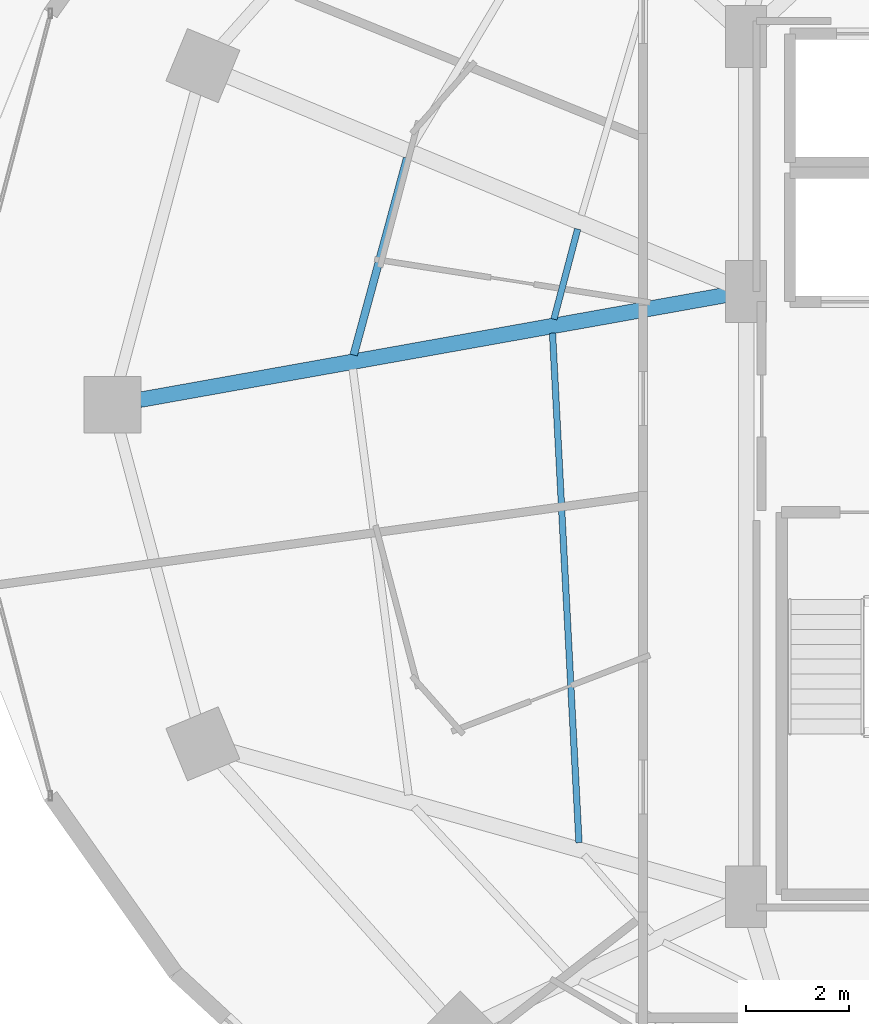
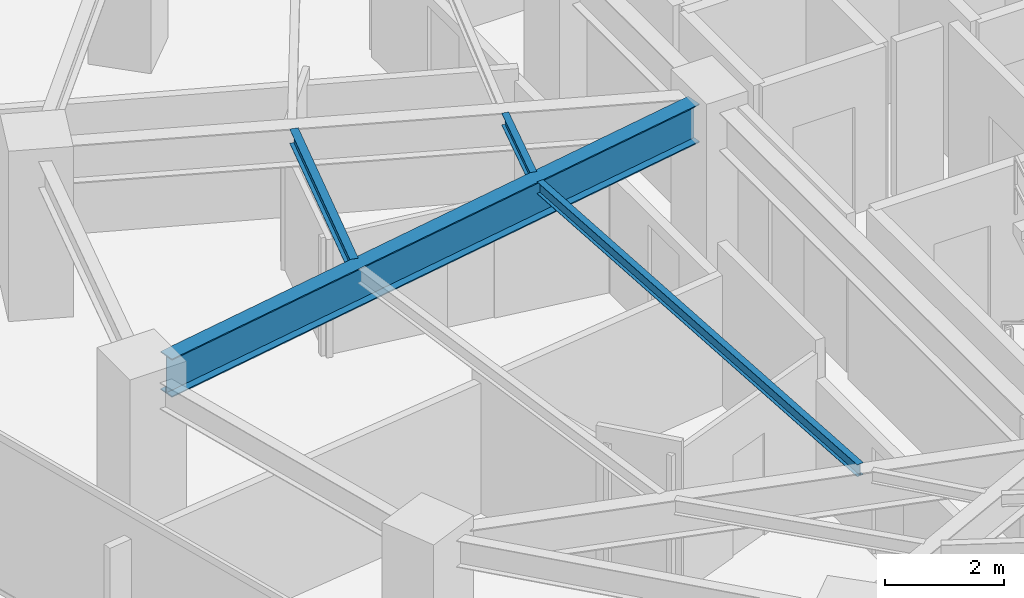
# One storey, part 7 of 30: 4 beams.
"""IFC4 building model written with IfcOpenShell, lengths in metres."""

from ifc_helpers import new_model, si_unit, direction, frame, origin, origin_2d, place, context, subcontext, project, spatial, i_section, extrude, material, material_profile, profile_set, type_object, element, save


model = new_model("IFC4")

# Units and contexts
model_context = context("Model", 3, precision=1e-05, world=origin(), true_north=direction((0.0, 1.0)))
body_context = subcontext(model_context, "Body", "Model", "MODEL_VIEW")
ifc_project = project(units=[si_unit("LENGTHUNIT", "METRE"), si_unit("AREAUNIT", "SQUARE_METRE"), si_unit("VOLUMEUNIT", "CUBIC_METRE"), si_unit("PLANEANGLEUNIT", "RADIAN"), si_unit("MASSUNIT", "GRAM", prefix="KILO")], contexts=[model_context])

# Site, building, storey
site_placement = place(None, origin())
site = spatial("IfcSite", under=ifc_project, at=site_placement, CompositionType="ELEMENT")
building_placement = place(site_placement, origin())
building = spatial("IfcBuilding", under=site, at=building_placement, Name="Vorneva Point Tower", CompositionType="ELEMENT")
storey_placement = place(building_placement, frame((0.0, 0.0, 96.300048828125)))
storey = spatial("IfcBuildingStorey", under=building, at=storey_placement, Name="L25", CompositionType="ELEMENT", Elevation=96.300048828125)

# Beams
ifc_material = material(Name="Steel S355", Category="steel")
ifc_material_profile_1 = material_profile(ifc_material, i_section(OverallWidth=0.300048828125, OverallDepth=0.7880859375, WebThickness=0.014404296875, FlangeThickness=0.02197265625, at=origin_2d()), Name="80Sh1")
ifc_profile_set_1 = profile_set([ifc_material_profile_1], Name="Steel S355")
beam_type_1 = type_object("IfcBeamType", Name="BM-GRD-80Sh1", PredefinedType="USERDEFINED", material=ifc_profile_set_1)
beam_1_placement = place(storey_placement, frame((15.4794921875, 26.0947265625, 2.845947265625), z_axis=(0.984378310682, 0.176066298476, 0.0), x_axis=(-0.176066298476, 0.984378310682, 0.0)))
element("IfcBeam", 1, at=beam_1_placement, inside=storey, type_object=beam_type_1, Name="L25 Radial Primary Girder 09", ObjectType="GIRDER", PredefinedType="USERDEFINED", context=body_context, shape_type="SweptSolid", body=[
    extrude(i_section(OverallWidth=0.300048828125, OverallDepth=0.7880859375, WebThickness=0.014404296875, FlangeThickness=0.02197265625, at=origin_2d()), origin(), (0.0, 0.0, 1.0), 11.6171875),
])
ifc_material_profile_2 = material_profile(ifc_material, i_section(OverallWidth=0.1240234375, OverallDepth=0.248046875, WebThickness=0.0048828125, FlangeThickness=0.008056640625, at=origin_2d()), Name="25B1")
ifc_profile_set_2 = profile_set([ifc_material_profile_2], Name="Steel S355")
beam_type_2 = type_object("IfcBeamType", Name="BM-JST-25B1", PredefinedType="JOIST", material=ifc_profile_set_2)
beam_2_placement = place(storey_placement, frame((23.98046875, 29.41064453125, 3.115966796875), z_axis=(-0.254480022924, -0.967078030943, 0.0), x_axis=(0.967078030943, -0.254480022924, 0.0)))
element("IfcBeam", 2, at=beam_2_placement, inside=storey, type_object=beam_type_2, Name="L25 Secondary Floor Beam 2.08", PredefinedType="JOIST", context=body_context, shape_type="SweptSolid", body=[
    extrude(i_section(OverallWidth=0.1240234375, OverallDepth=0.248046875, WebThickness=0.0048828125, FlangeThickness=0.008056640625, at=origin_2d()), origin(), (0.0, 0.0, 1.0), 1.810302734375),
])
beam_3_placement = place(storey_placement, frame((23.49169921875, 27.388671875, 3.115966796875), z_axis=(0.051893745783, -0.998652611847, 0.0), x_axis=(0.998652611847, 0.051893745783, 0.0)))
element("IfcBeam", 3, at=beam_3_placement, inside=storey, type_object=beam_type_2, Name="L25 Secondary Floor Beam 2.09", PredefinedType="JOIST", context=body_context, shape_type="SweptSolid", body=[
    extrude(i_section(OverallWidth=0.1240234375, OverallDepth=0.248046875, WebThickness=0.0048828125, FlangeThickness=0.008056640625, at=origin_2d()), origin(), (0.0, 0.0, 1.0), 9.9033203125),
])
ifc_material_profile_3 = material_profile(ifc_material, i_section(OverallWidth=0.14892578125, OverallDepth=0.298095703125, WebThickness=0.005615234375, FlangeThickness=0.008056640625, at=origin_2d()), Name="30B1")
ifc_profile_set_3 = profile_set([ifc_material_profile_3], Name="Steel S355")
beam_type_3 = type_object("IfcBeamType", Name="BM-JST-30B1", PredefinedType="JOIST", material=ifc_profile_set_3)
beam_4_placement = place(storey_placement, frame((20.669677734375, 30.7861328125, 3.091064453125), z_axis=(-0.261880909286, -0.965100196535, 0.0), x_axis=(0.965100196535, -0.261880909286, 0.0)))
element("IfcBeam", 4, at=beam_4_placement, inside=storey, type_object=beam_type_3, Name="L25 Secondary Floor Beam 1.08", PredefinedType="JOIST", context=body_context, shape_type="SweptSolid", body=[
    extrude(i_section(OverallWidth=0.14892578125, OverallDepth=0.298095703125, WebThickness=0.005615234375, FlangeThickness=0.008056640625, at=origin_2d()), origin(), (0.0, 0.0, 1.0), 3.960205078125),
])

save(model, "model.ifc")
